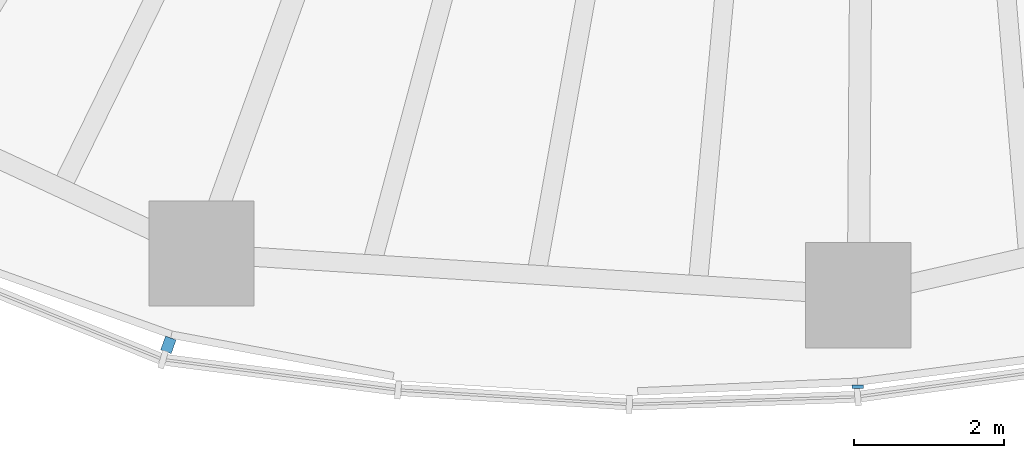
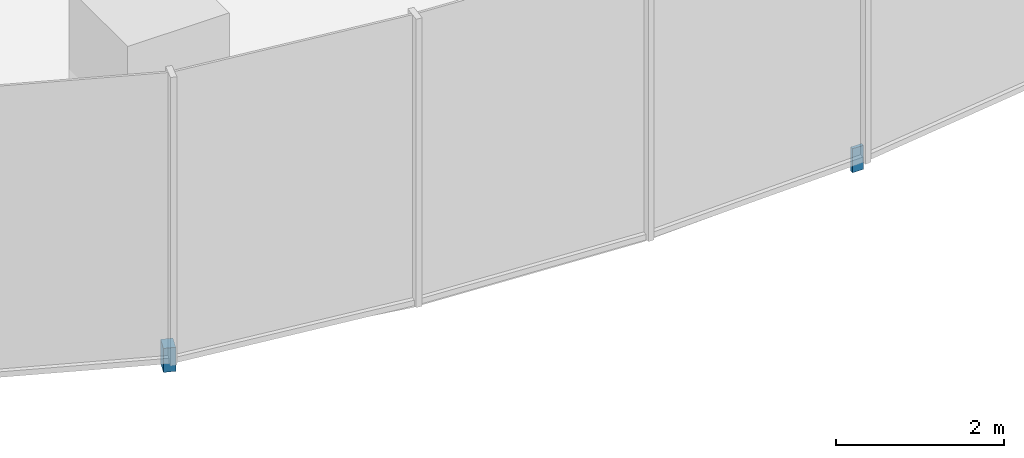
# One storey, part 12 of 18: 2 discrete accessories.
"""IFC4 building model written with IfcOpenShell, lengths in metres."""

from ifc_helpers import new_model, si_unit, direction, frame, origin, origin_2d, place, context, subcontext, project, spatial, rectangle, extrude, material, type_object, element, save


model = new_model("IFC4")

# Units and contexts
model_context = context("Model", 3, precision=1e-05, world=origin(), true_north=direction((0.0, 1.0)))
body_context = subcontext(model_context, "Body", "Model", "MODEL_VIEW")
ifc_project = project(units=[si_unit("LENGTHUNIT", "METRE"), si_unit("AREAUNIT", "SQUARE_METRE"), si_unit("VOLUMEUNIT", "CUBIC_METRE"), si_unit("PLANEANGLEUNIT", "RADIAN"), si_unit("MASSUNIT", "GRAM", prefix="KILO")], contexts=[model_context])

# Site, building, storey
site_placement = place(None, origin())
site = spatial("IfcSite", under=ifc_project, at=site_placement, CompositionType="ELEMENT")
building_placement = place(site_placement, origin())
building = spatial("IfcBuilding", under=site, at=building_placement, Name="Ghaith Harvest Tower", CompositionType="ELEMENT")
storey_placement = place(building_placement, frame((0.0, 0.0, 176.39990234375)))
storey = spatial("IfcBuildingStorey", under=building, at=storey_placement, Name="L38", CompositionType="ELEMENT", Elevation=176.39990234375)

# Discrete accessories
ifc_material_1 = material(Name="Stainless steel grade 1.4401", Category="steel")
discrete_accessory_type_1 = type_object("IfcDiscreteAccessoryType", Name="CURTAIN WALL BRACKET 195", PredefinedType="BRACKET", material=ifc_material_1)
discrete_accessory_1_placement = place(storey_placement, frame((-9.348388671875, -25.883544921875, -0.25), z_axis=(0.0, 0.0, 1.0), x_axis=(-0.33969945263, -0.940534040789, 0.0)))
element("IfcDiscreteAccessory", 1, at=discrete_accessory_1_placement, inside=storey, type_object=discrete_accessory_type_1, Name="CW-L bracket 1 bay 15 L38", PredefinedType="BRACKET", context=body_context, shape_type="SweptSolid", body=[
    extrude(rectangle(XDim=0.195068359375, YDim=0.14990234375, at=origin_2d()), origin(), (0.0, 0.0, 1.0), 0.35009765625),
])
ifc_material_2 = material(Name="Stainless steel grade 1.4401", Category="steel")
discrete_accessory_type_2 = type_object("IfcDiscreteAccessoryType", Name="CURTAIN WALL BRACKET 45", PredefinedType="BRACKET", material=ifc_material_2)
discrete_accessory_2_placement = place(storey_placement, frame((-0.180908203125, -26.441162109375, -0.25), z_axis=(0.0, 0.0, 1.0), x_axis=(-0.006843747957, -0.999976581283, 0.0)))
element("IfcDiscreteAccessory", 2, at=discrete_accessory_2_placement, inside=storey, type_object=discrete_accessory_type_2, Name="CW-L bracket 1 bay 16 L38", PredefinedType="BRACKET", context=body_context, shape_type="SweptSolid", body=[
    extrude(rectangle(XDim=0.044921875, YDim=0.14990234375, at=origin_2d()), origin(), (0.0, 0.0, 1.0), 0.35009765625),
])

save(model, "model.ifc")
